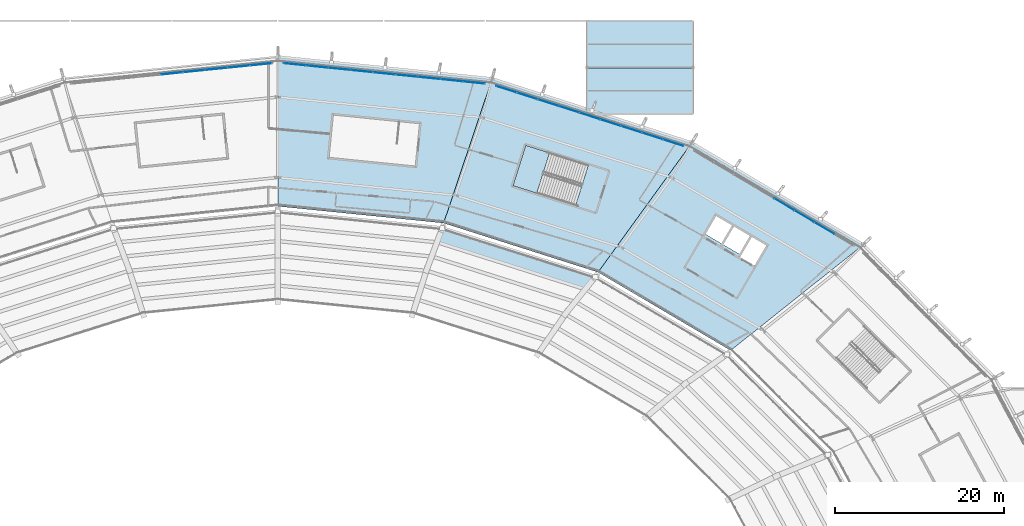
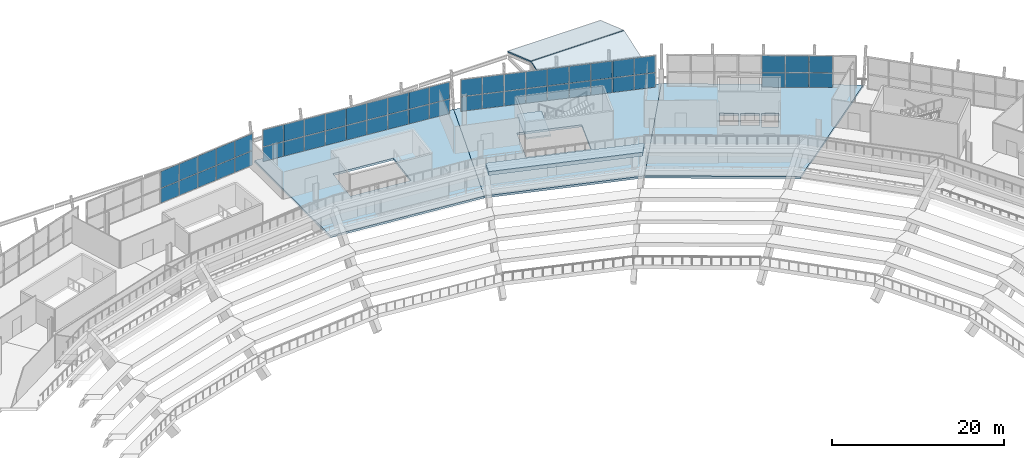
# One storey, part 71 of 126: 52 plates, 7 slabs, 6 elements without a shape of their own.
"""IFC4 building model written with IfcOpenShell, lengths in metres."""

from ifc_helpers import new_model, si_unit, direction, frame, origin, origin_2d, place, context, subcontext, project, spatial, polyline, rectangle, outline, extrude, material, layer, layer_set, type_object, element, aggregate, save


model = new_model("IFC4")

# Units and contexts
model_context = context("Model", 3, precision=1e-05, world=origin(), true_north=direction((0.0, 1.0)))
body_context = subcontext(model_context, "Body", "Model", "MODEL_VIEW")
ifc_project = project(units=[si_unit("LENGTHUNIT", "METRE"), si_unit("AREAUNIT", "SQUARE_METRE"), si_unit("VOLUMEUNIT", "CUBIC_METRE"), si_unit("PLANEANGLEUNIT", "RADIAN"), si_unit("MASSUNIT", "GRAM", prefix="KILO")], contexts=[model_context])

# Site, building, storey
site_placement = place(None, origin())
site = spatial("IfcSite", under=ifc_project, at=site_placement, CompositionType="ELEMENT")
building_placement = place(site_placement, origin())
building = spatial("IfcBuilding", under=site, at=building_placement, Name="Zlatoyarsky Gate Stadium", CompositionType="ELEMENT")
storey_placement = place(building_placement, frame((0.0, 0.0, 20.800048828125)))
storey = spatial("IfcBuildingStorey", under=building, at=storey_placement, Name="L04", CompositionType="ELEMENT", Elevation=20.800048828125)

# Curtain wall, plates
ifc_material_1 = material(Name="Thermally broken anodised aluminium curtain wall", Category="aluminium")
curtain_wall_type_1 = type_object("IfcCurtainWallType", Name="MONUMENTAL ARCHED GATE GLAZING LOWER", PredefinedType="USERDEFINED", material=ifc_material_1)
curtain_wall_1_placement = place(storey_placement, origin())
curtain_wall_1 = element("IfcCurtainWall", 1, at=curtain_wall_1_placement, inside=storey, type_object=curtain_wall_type_1, Name="Curtain wall CW-L04-06", ObjectType="ARCHED GATE GLAZING", PredefinedType="USERDEFINED")
ifc_material_2 = material(Name="Triple-glazed argon low-e architectural glass", Category="glass")
ifc_layer_1 = layer(ifc_material_2, 0.0458984375)
ifc_layer_set_1 = layer_set([ifc_layer_1], Name="Triple-glazed argon low-e architectural glass")
plate_type_1 = type_object("IfcPlateType", Name="ACOUSTIC LAMINATED GATE GLAZING PANEL 46", PredefinedType="CURTAIN_PANEL", material=ifc_layer_set_1)
plate_1_placement = place(storey_placement, frame((109.0107421875, 154.8671875, 0.074951171875), z_axis=(0.0, 0.0, 1.0), x_axis=(-0.994856644007, -0.10129293102, 0.0)))
plate_1 = element("IfcPlate", 2, at=plate_1_placement, type_object=plate_type_1, Name="CW-AG1 panel 1.1", PredefinedType="CURTAIN_PANEL", context=body_context, shape_type="SweptSolid", body=[
    extrude(rectangle(XDim=2.549072265625, YDim=0.0458984375, at=origin_2d()), origin(), (0.0, 0.0, 1.0), 2.03759765625),
])
plate_2_placement = place(storey_placement, frame((109.0107421875, 154.8671875, 2.1875), z_axis=(0.0, 0.0, 1.0), x_axis=(-0.994856644007, -0.10129293102, 0.0)))
plate_2 = element("IfcPlate", 3, at=plate_2_placement, type_object=plate_type_1, Name="CW-AG1 panel 1.2", PredefinedType="CURTAIN_PANEL", context=body_context, shape_type="SweptSolid", body=[
    extrude(rectangle(XDim=2.549072265625, YDim=0.0458984375, at=origin_2d()), origin(), (0.0, 0.0, 1.0), 2.357421875),
])
plate_3_placement = place(storey_placement, frame((106.381591796875, 154.599365234375, 0.074951171875), z_axis=(0.0, 0.0, 1.0), x_axis=(-0.994856644007, -0.10129293102, 0.0)))
plate_3 = element("IfcPlate", 4, at=plate_3_placement, type_object=plate_type_1, Name="CW-AG1 panel 2.1", PredefinedType="CURTAIN_PANEL", context=body_context, shape_type="SweptSolid", body=[
    extrude(rectangle(XDim=2.58642578125, YDim=0.0458984375, at=origin_2d()), origin(), (0.0, 0.0, 1.0), 2.03759765625),
])
plate_4_placement = place(storey_placement, frame((106.381591796875, 154.599365234375, 2.1875), z_axis=(0.0, 0.0, 1.0), x_axis=(-0.994856644007, -0.10129293102, 0.0)))
plate_4 = element("IfcPlate", 5, at=plate_4_placement, type_object=plate_type_1, Name="CW-AG1 panel 2.2", PredefinedType="CURTAIN_PANEL", context=body_context, shape_type="SweptSolid", body=[
    extrude(rectangle(XDim=2.58642578125, YDim=0.0458984375, at=origin_2d()), origin(), (0.0, 0.0, 1.0), 2.357421875),
])
plate_5_placement = place(storey_placement, frame((103.73388671875, 154.329833984375, 0.074951171875), z_axis=(0.0, 0.0, 1.0), x_axis=(-0.994856644007, -0.10129293102, 0.0)))
plate_5 = element("IfcPlate", 6, at=plate_5_placement, type_object=plate_type_1, Name="CW-AG1 panel 3.1", PredefinedType="CURTAIN_PANEL", context=body_context, shape_type="SweptSolid", body=[
    extrude(rectangle(XDim=2.58642578125, YDim=0.0458984375, at=origin_2d()), origin(), (0.0, 0.0, 1.0), 2.03759765625),
])
plate_6_placement = place(storey_placement, frame((103.73388671875, 154.329833984375, 2.1875), z_axis=(0.0, 0.0, 1.0), x_axis=(-0.994856644007, -0.10129293102, 0.0)))
plate_6 = element("IfcPlate", 7, at=plate_6_placement, type_object=plate_type_1, Name="CW-AG1 panel 3.2", PredefinedType="CURTAIN_PANEL", context=body_context, shape_type="SweptSolid", body=[
    extrude(rectangle(XDim=2.58642578125, YDim=0.0458984375, at=origin_2d()), origin(), (0.0, 0.0, 1.0), 2.357421875),
])
plate_7_placement = place(storey_placement, frame((101.0859375, 154.060302734375, 0.074951171875), z_axis=(0.0, 0.0, 1.0), x_axis=(-0.994856644007, -0.10129293102, 0.0)))
plate_7 = element("IfcPlate", 8, at=plate_7_placement, type_object=plate_type_1, Name="CW-AG1 panel 4.1", PredefinedType="CURTAIN_PANEL", context=body_context, shape_type="SweptSolid", body=[
    extrude(rectangle(XDim=2.58642578125, YDim=0.0458984375, at=origin_2d()), origin(), (0.0, 0.0, 1.0), 2.03759765625),
])
plate_8_placement = place(storey_placement, frame((101.0859375, 154.060302734375, 2.1875), z_axis=(0.0, 0.0, 1.0), x_axis=(-0.994856644007, -0.10129293102, 0.0)))
plate_8 = element("IfcPlate", 9, at=plate_8_placement, type_object=plate_type_1, Name="CW-AG1 panel 4.2", PredefinedType="CURTAIN_PANEL", context=body_context, shape_type="SweptSolid", body=[
    extrude(rectangle(XDim=2.58642578125, YDim=0.0458984375, at=origin_2d()), origin(), (0.0, 0.0, 1.0), 2.357421875),
])
plate_9_placement = place(storey_placement, frame((98.438232421875, 153.790771484375, 0.074951171875), z_axis=(0.0, 0.0, 1.0), x_axis=(-0.994856644007, -0.10129293102, 0.0)))
plate_9 = element("IfcPlate", 10, at=plate_9_placement, type_object=plate_type_1, Name="CW-AG1 panel 5.1", PredefinedType="CURTAIN_PANEL", context=body_context, shape_type="SweptSolid", body=[
    extrude(rectangle(XDim=2.58642578125, YDim=0.0458984375, at=origin_2d()), origin(), (0.0, 0.0, 1.0), 2.03759765625),
])
plate_10_placement = place(storey_placement, frame((98.438232421875, 153.790771484375, 2.1875), z_axis=(0.0, 0.0, 1.0), x_axis=(-0.994856644007, -0.10129293102, 0.0)))
plate_10 = element("IfcPlate", 11, at=plate_10_placement, type_object=plate_type_1, Name="CW-AG1 panel 5.2", PredefinedType="CURTAIN_PANEL", context=body_context, shape_type="SweptSolid", body=[
    extrude(rectangle(XDim=2.58642578125, YDim=0.0458984375, at=origin_2d()), origin(), (0.0, 0.0, 1.0), 2.357421875),
])
aggregate(curtain_wall_1, [plate_1, plate_2, plate_3, plate_4, plate_5, plate_6, plate_7, plate_8, plate_9, plate_10])

# Roof, slabs
ifc_material_3 = material(Name="Standing-seam aluminium-zinc roofing with mineral wool insulation", Category="aluminium")
ifc_layer_2 = layer(ifc_material_3, 0.080078125)
ifc_layer_set_2 = layer_set([ifc_layer_2], Name="Standing-seam aluminium-zinc roofing with mineral wool insulation")
roof_type = type_object("IfcRoofType", Name="STADIUM BARREL VAULT ROOF ASSEMBLY", PredefinedType="BARREL_ROOF", material=ifc_layer_set_2)
roof_placement = place(storey_placement, origin())
roof = element("IfcRoof", 12, at=roof_placement, inside=storey, type_object=roof_type, Name="V2_NORTH_E barrel roof", PredefinedType="BARREL_ROOF")
ifc_material_4 = material(Name="Concrete C40/50", Category="concrete")
ifc_layer_3 = layer(ifc_material_4, 0.179931640625)
ifc_layer_set_3 = layer_set([ifc_layer_3], Name="Concrete C40/50")
slab_type_1 = type_object("IfcSlabType", Name="COMPOSITE PAVILION ROOF SLAB 180", PredefinedType="ROOF", material=ifc_layer_set_3)
slab_1_placement = place(storey_placement, frame((147.5, 149.0, 0.199951171875), z_axis=(0.0, -0.329578946053, 0.94412802009), x_axis=(1.0, 0.0, 0.0)))
slab_1 = element("IfcSlab", 13, at=slab_1_placement, type_object=slab_type_1, Name="V2_NORTH_E sloped roof slab 1", PredefinedType="ROOF", context=body_context, shape_type="SweptSolid", body=[
    extrude(outline(polyline([(0.0, 0.0), (12.5, 0.0), (12.5, 5.7520420397895435), (0.0, 5.7520420397895435), (0.0, 0.0)])), origin(), (0.0, 0.0, -1.0), 0.179931640625),
])
slab_2_placement = place(storey_placement, frame((160.0, 160.0, 0.199951171875), z_axis=(0.0, 0.329578946053, 0.94412802009), x_axis=(-1.0, 0.0, 0.0)))
slab_2 = element("IfcSlab", 14, at=slab_2_placement, type_object=slab_type_1, Name="V2_NORTH_E sloped roof slab 2", PredefinedType="ROOF", context=body_context, shape_type="SweptSolid", body=[
    extrude(outline(polyline([(0.0, 0.0), (12.5, 0.0), (12.5, 5.7520420397895435), (0.0, 5.7520420397895435), (0.0, 0.0)])), origin(), (0.0, 0.0, -1.0), 0.179931640625),
])
aggregate(roof, [slab_1, slab_2])

# Slabs
ifc_layer_4 = layer(ifc_material_4, 0.300048828125)
ifc_layer_set_4 = layer_set([ifc_layer_4], Name="Concrete C40/50")
slab_type_2 = type_object("IfcSlabType", Name="CONCRETE CONCOURSE SLAB 300", PredefinedType="FLOOR", material=ifc_layer_set_4)
slab_3_placement = place(storey_placement, frame((0.0, 0.0, -0.300048828125)))
element("IfcSlab", 15, at=slab_3_placement, inside=storey, type_object=slab_type_2, Name="L04 bowl sector 03 slab", PredefinedType="FLOOR", context=body_context, shape_type="SweptSolid", body=[
    extrude(outline(polyline([(148.800048828125, 130.316162109375), (159.884765625, 145.618408203125), (180.133544921875, 133.5771484375), (164.457275390625, 121.0830078125), (148.800048828125, 130.316162109375)]), holes=[polyline([(168.688720703125, 133.486083984375), (166.962890625, 134.4970703125), (165.547607421875, 132.0810546875), (167.2734375, 131.070068359375), (168.688720703125, 133.486083984375)]), polyline([(166.747314453125, 134.623291015625), (164.84912109375, 135.7353515625), (163.58544921875, 133.578125), (165.483642578125, 132.46630859375), (166.747314453125, 134.623291015625)]), polyline([(164.63330078125, 135.86181640625), (162.735107421875, 136.9736328125), (161.471435546875, 134.816650390625), (163.36962890625, 133.70458984375), (164.63330078125, 135.86181640625)])]), origin(), (0.0, 0.0, 1.0), 0.300048828125),
])
slab_4_placement = place(storey_placement, frame((0.0, 0.0, -0.300048828125)))
element("IfcSlab", 16, at=slab_4_placement, inside=storey, type_object=slab_type_2, Name="L04 bowl sector 04 slab", PredefinedType="FLOOR", context=body_context, shape_type="SweptSolid", body=[
    extrude(outline(polyline([(130.566650390625, 136.120361328125), (136.3046875, 153.187744140625), (159.884765625, 145.618408203125), (148.800048828125, 130.316162109375), (130.566650390625, 136.120361328125)]), holes=[polyline([(147.6533203125, 142.964111328125), (140.263916015625, 145.30078125), (138.75634765625, 140.53369140625), (146.145751953125, 138.197021484375), (147.6533203125, 142.964111328125)])]), origin(), (0.0, 0.0, 1.0), 0.300048828125),
])
slab_5_placement = place(storey_placement, frame((0.0, 0.0, -0.300048828125)))
element("IfcSlab", 17, at=slab_5_placement, inside=storey, type_object=slab_type_2, Name="L04 bowl sector 05 slab", PredefinedType="FLOOR", context=body_context, shape_type="SweptSolid", body=[
    extrude(outline(polyline([(111.0, 138.10009765625), (111.0, 155.76953125), (136.3046875, 153.187744140625), (130.566650390625, 136.120361328125), (111.0, 138.10009765625)]), holes=[polyline([(125.26953125, 148.0908203125), (117.558349609375, 148.865966796875), (117.058349609375, 143.890869140625), (124.76953125, 143.115966796875), (125.26953125, 148.0908203125)])]), origin(), (0.0, 0.0, 1.0), 0.300048828125),
])

# Stair, slab
stair_type = type_object("IfcStairType", Name="CONCRETE DOGLEG EXIT STAIR H5400", PredefinedType="TWO_STRAIGHT_RUN_STAIR", material=ifc_material_4)
stair_placement = place(storey_placement, origin())
stair = element("IfcStair", 18, at=stair_placement, inside=storey, type_object=stair_type, Name="L04 Exit Stair ST-03", PredefinedType="TWO_STRAIGHT_RUN_STAIR")
ifc_layer_5 = layer(ifc_material_4, 0.199951171875)
ifc_layer_set_5 = layer_set([ifc_layer_5], Name="Concrete C40/50")
slab_type_3 = type_object("IfcSlabType", Name="CONCRETE STAIR LANDING SLAB 200", PredefinedType="LANDING", material=ifc_layer_set_5)
slab_6_placement = place(storey_placement, frame((0.0, 0.0, 2.5)))
slab_6 = element("IfcSlab", 19, at=slab_6_placement, type_object=slab_type_3, Name="ST-DG54 landing 1", PredefinedType="LANDING", context=body_context, shape_type="SweptSolid", body=[
    extrude(outline(polyline([(143.07666015625, 144.411376953125), (140.263916015625, 145.30078125), (138.75634765625, 140.53369140625), (141.569091796875, 139.64404296875), (143.07666015625, 144.411376953125)])), origin(), (0.0, 0.0, 1.0), 0.199951171875),
])
aggregate(stair, [slab_6])

# Slab
ifc_material_5 = material(Name="Precast concrete C40/50", Category="concrete")
ifc_layer_6 = layer(ifc_material_5, 0.56005859375)
ifc_layer_set_6 = layer_set([ifc_layer_6], Name="Precast concrete C40/50")
slab_type_4 = type_object("IfcSlabType", Name="PRECAST UPPER SEATING TIER UNIT 560", PredefinedType="USERDEFINED", material=ifc_layer_set_6)
slab_7_placement = place(storey_placement, frame((0.0, 0.0, 4.5400390625)))
element("IfcSlab", 20, at=slab_7_placement, inside=storey, type_object=slab_type_4, Name="Upper seating tier sector 04 row 6", ObjectType="SEATING TIER", PredefinedType="USERDEFINED", context=body_context, shape_type="SweptSolid", body=[
    extrude(outline(polyline([(147.375, 128.281005859375), (148.5, 129.79638671875), (130.411376953125, 135.540771484375), (129.8291015625, 133.850341796875), (147.375, 128.281005859375)])), origin(), (0.0, 0.0, 1.0), 0.559814453125),
])

# Curtain wall, plates
curtain_wall_type_2 = type_object("IfcCurtainWallType", Name="UNITISED MEDIA RING GLAZING L04", PredefinedType="USERDEFINED", material=ifc_material_1)
curtain_wall_2_placement = place(storey_placement, origin())
curtain_wall_2 = element("IfcCurtainWall", 21, at=curtain_wall_2_placement, inside=storey, type_object=curtain_wall_type_2, Name="Curtain wall CW-L04-03", ObjectType="UNITISED GLAZING", PredefinedType="USERDEFINED")
ifc_layer_7 = layer(ifc_material_2, 0.0380859375)
ifc_layer_set_7 = layer_set([ifc_layer_7], Name="Triple-glazed argon low-e architectural glass")
plate_type_2 = type_object("IfcPlateType", Name="TRIPLE GLAZED LOW E CURTAIN PANEL 38", PredefinedType="CURTAIN_PANEL", material=ifc_layer_set_7)
plate_11_placement = place(storey_placement, frame((175.519775390625, 135.5263671875, 0.06494140625), z_axis=(0.0, 0.0, 1.0), x_axis=(-0.859978374713, 0.510330476285, 0.0)))
plate_11 = element("IfcPlate", 22, at=plate_11_placement, type_object=plate_type_2, Name="CW-UG4 panel 2.1", PredefinedType="CURTAIN_PANEL", context=body_context, shape_type="SweptSolid", body=[
    extrude(rectangle(XDim=2.694580078125, YDim=0.0380859375, at=origin_2d()), origin(), (0.0, 0.0, 1.0), 2.052490234375),
])
plate_12_placement = place(storey_placement, frame((175.519775390625, 135.5263671875, 2.182373046875), z_axis=(0.0, 0.0, 1.0), x_axis=(-0.859978374713, 0.510330476285, 0.0)))
plate_12 = element("IfcPlate", 23, at=plate_12_placement, type_object=plate_type_2, Name="CW-UG4 panel 2.2", PredefinedType="CURTAIN_PANEL", context=body_context, shape_type="SweptSolid", body=[
    extrude(rectangle(XDim=2.694580078125, YDim=0.0380859375, at=origin_2d()), origin(), (0.0, 0.0, 1.0), 2.37255859375),
])
plate_13_placement = place(storey_placement, frame((173.146484375, 136.934814453125, 0.06494140625), z_axis=(0.0, 0.0, 1.0), x_axis=(-0.859978374713, 0.510330476285, 0.0)))
plate_13 = element("IfcPlate", 24, at=plate_13_placement, type_object=plate_type_2, Name="CW-UG4 panel 3.1", PredefinedType="CURTAIN_PANEL", context=body_context, shape_type="SweptSolid", body=[
    extrude(rectangle(XDim=2.694580078125, YDim=0.0380859375, at=origin_2d()), origin(), (0.0, 0.0, 1.0), 2.052490234375),
])
plate_14_placement = place(storey_placement, frame((173.146484375, 136.934814453125, 2.182373046875), z_axis=(0.0, 0.0, 1.0), x_axis=(-0.859978374713, 0.510330476285, 0.0)))
plate_14 = element("IfcPlate", 25, at=plate_14_placement, type_object=plate_type_2, Name="CW-UG4 panel 3.2", PredefinedType="CURTAIN_PANEL", context=body_context, shape_type="SweptSolid", body=[
    extrude(rectangle(XDim=2.694580078125, YDim=0.0380859375, at=origin_2d()), origin(), (0.0, 0.0, 1.0), 2.37255859375),
])
plate_15_placement = place(storey_placement, frame((170.773193359375, 138.343017578125, 0.06494140625), z_axis=(0.0, 0.0, 1.0), x_axis=(-0.859978374713, 0.510330476285, 0.0)))
plate_15 = element("IfcPlate", 26, at=plate_15_placement, type_object=plate_type_2, Name="CW-UG4 panel 4.1", PredefinedType="CURTAIN_PANEL", context=body_context, shape_type="SweptSolid", body=[
    extrude(rectangle(XDim=2.694580078125, YDim=0.0380859375, at=origin_2d()), origin(), (0.0, 0.0, 1.0), 2.052490234375),
])
plate_16_placement = place(storey_placement, frame((170.773193359375, 138.343017578125, 2.182373046875), z_axis=(0.0, 0.0, 1.0), x_axis=(-0.859978374713, 0.510330476285, 0.0)))
plate_16 = element("IfcPlate", 27, at=plate_16_placement, type_object=plate_type_2, Name="CW-UG4 panel 4.2", PredefinedType="CURTAIN_PANEL", context=body_context, shape_type="SweptSolid", body=[
    extrude(rectangle(XDim=2.694580078125, YDim=0.0380859375, at=origin_2d()), origin(), (0.0, 0.0, 1.0), 2.37255859375),
])
aggregate(curtain_wall_2, [plate_11, plate_12, plate_13, plate_14, plate_15, plate_16])

curtain_wall_3_placement = place(storey_placement, origin())
curtain_wall_3 = element("IfcCurtainWall", 28, at=curtain_wall_3_placement, inside=storey, type_object=curtain_wall_type_2, Name="Curtain wall CW-L04-04", ObjectType="UNITISED GLAZING", PredefinedType="USERDEFINED")
plate_17_placement = place(storey_placement, frame((157.66845703125, 145.610107421875, 0.06494140625), z_axis=(0.0, 0.0, 1.0), x_axis=(-0.952331297298, 0.305065730928, 0.0)))
plate_17 = element("IfcPlate", 29, at=plate_17_placement, type_object=plate_type_2, Name="CW-UG4 panel 1.1", PredefinedType="CURTAIN_PANEL", context=body_context, shape_type="SweptSolid", body=[
    extrude(rectangle(XDim=2.489501953125, YDim=0.0380859375, at=origin_2d()), origin(), (0.0, 0.0, 1.0), 2.052490234375),
])
plate_18_placement = place(storey_placement, frame((157.66845703125, 145.610107421875, 2.182373046875), z_axis=(0.0, 0.0, 1.0), x_axis=(-0.952331297298, 0.305065730928, 0.0)))
plate_18 = element("IfcPlate", 30, at=plate_18_placement, type_object=plate_type_2, Name="CW-UG4 panel 1.2", PredefinedType="CURTAIN_PANEL", context=body_context, shape_type="SweptSolid", body=[
    extrude(rectangle(XDim=2.489501953125, YDim=0.0380859375, at=origin_2d()), origin(), (0.0, 0.0, 1.0), 2.37255859375),
])
plate_19_placement = place(storey_placement, frame((155.22021484375, 146.394287109375, 0.06494140625), z_axis=(0.0, 0.0, 1.0), x_axis=(-0.952331297298, 0.305065730928, 0.0)))
plate_19 = element("IfcPlate", 31, at=plate_19_placement, type_object=plate_type_2, Name="CW-UG4 panel 2.1", PredefinedType="CURTAIN_PANEL", context=body_context, shape_type="SweptSolid", body=[
    extrude(rectangle(XDim=2.52197265625, YDim=0.0380859375, at=origin_2d()), origin(), (0.0, 0.0, 1.0), 2.052490234375),
])
plate_20_placement = place(storey_placement, frame((155.22021484375, 146.394287109375, 2.182373046875), z_axis=(0.0, 0.0, 1.0), x_axis=(-0.952331297298, 0.305065730928, 0.0)))
plate_20 = element("IfcPlate", 32, at=plate_20_placement, type_object=plate_type_2, Name="CW-UG4 panel 2.2", PredefinedType="CURTAIN_PANEL", context=body_context, shape_type="SweptSolid", body=[
    extrude(rectangle(XDim=2.52197265625, YDim=0.0380859375, at=origin_2d()), origin(), (0.0, 0.0, 1.0), 2.37255859375),
])
plate_21_placement = place(storey_placement, frame((152.756591796875, 147.18359375, 0.06494140625), z_axis=(0.0, 0.0, 1.0), x_axis=(-0.952331297298, 0.305065730928, 0.0)))
plate_21 = element("IfcPlate", 33, at=plate_21_placement, type_object=plate_type_2, Name="CW-UG4 panel 3.1", PredefinedType="CURTAIN_PANEL", context=body_context, shape_type="SweptSolid", body=[
    extrude(rectangle(XDim=2.52197265625, YDim=0.0380859375, at=origin_2d()), origin(), (0.0, 0.0, 1.0), 2.052490234375),
])
plate_22_placement = place(storey_placement, frame((152.756591796875, 147.18359375, 2.182373046875), z_axis=(0.0, 0.0, 1.0), x_axis=(-0.952331297298, 0.305065730928, 0.0)))
plate_22 = element("IfcPlate", 34, at=plate_22_placement, type_object=plate_type_2, Name="CW-UG4 panel 3.2", PredefinedType="CURTAIN_PANEL", context=body_context, shape_type="SweptSolid", body=[
    extrude(rectangle(XDim=2.52197265625, YDim=0.0380859375, at=origin_2d()), origin(), (0.0, 0.0, 1.0), 2.37255859375),
])
plate_23_placement = place(storey_placement, frame((150.29296875, 147.97265625, 0.06494140625), z_axis=(0.0, 0.0, 1.0), x_axis=(-0.952331297298, 0.305065730928, 0.0)))
plate_23 = element("IfcPlate", 35, at=plate_23_placement, type_object=plate_type_2, Name="CW-UG4 panel 4.1", PredefinedType="CURTAIN_PANEL", context=body_context, shape_type="SweptSolid", body=[
    extrude(rectangle(XDim=2.52197265625, YDim=0.0380859375, at=origin_2d()), origin(), (0.0, 0.0, 1.0), 2.052490234375),
])
plate_24_placement = place(storey_placement, frame((150.29296875, 147.97265625, 2.182373046875), z_axis=(0.0, 0.0, 1.0), x_axis=(-0.952331297298, 0.305065730928, 0.0)))
plate_24 = element("IfcPlate", 36, at=plate_24_placement, type_object=plate_type_2, Name="CW-UG4 panel 4.2", PredefinedType="CURTAIN_PANEL", context=body_context, shape_type="SweptSolid", body=[
    extrude(rectangle(XDim=2.52197265625, YDim=0.0380859375, at=origin_2d()), origin(), (0.0, 0.0, 1.0), 2.37255859375),
])
plate_25_placement = place(storey_placement, frame((147.8291015625, 148.761962890625, 0.06494140625), z_axis=(0.0, 0.0, 1.0), x_axis=(-0.952331297298, 0.305065730928, 0.0)))
plate_25 = element("IfcPlate", 37, at=plate_25_placement, type_object=plate_type_2, Name="CW-UG4 panel 5.1", PredefinedType="CURTAIN_PANEL", context=body_context, shape_type="SweptSolid", body=[
    extrude(rectangle(XDim=2.52197265625, YDim=0.0380859375, at=origin_2d()), origin(), (0.0, 0.0, 1.0), 2.052490234375),
])
plate_26_placement = place(storey_placement, frame((147.8291015625, 148.761962890625, 2.182373046875), z_axis=(0.0, 0.0, 1.0), x_axis=(-0.952331297298, 0.305065730928, 0.0)))
plate_26 = element("IfcPlate", 38, at=plate_26_placement, type_object=plate_type_2, Name="CW-UG4 panel 5.2", PredefinedType="CURTAIN_PANEL", context=body_context, shape_type="SweptSolid", body=[
    extrude(rectangle(XDim=2.52197265625, YDim=0.0380859375, at=origin_2d()), origin(), (0.0, 0.0, 1.0), 2.37255859375),
])
plate_27_placement = place(storey_placement, frame((145.365478515625, 149.55126953125, 0.06494140625), z_axis=(0.0, 0.0, 1.0), x_axis=(-0.952331297298, 0.305065730928, 0.0)))
plate_27 = element("IfcPlate", 39, at=plate_27_placement, type_object=plate_type_2, Name="CW-UG4 panel 6.1", PredefinedType="CURTAIN_PANEL", context=body_context, shape_type="SweptSolid", body=[
    extrude(rectangle(XDim=2.52197265625, YDim=0.0380859375, at=origin_2d()), origin(), (0.0, 0.0, 1.0), 2.052490234375),
])
plate_28_placement = place(storey_placement, frame((145.365478515625, 149.55126953125, 2.182373046875), z_axis=(0.0, 0.0, 1.0), x_axis=(-0.952331297298, 0.305065730928, 0.0)))
plate_28 = element("IfcPlate", 40, at=plate_28_placement, type_object=plate_type_2, Name="CW-UG4 panel 6.2", PredefinedType="CURTAIN_PANEL", context=body_context, shape_type="SweptSolid", body=[
    extrude(rectangle(XDim=2.52197265625, YDim=0.0380859375, at=origin_2d()), origin(), (0.0, 0.0, 1.0), 2.37255859375),
])
plate_29_placement = place(storey_placement, frame((142.90185546875, 150.34033203125, 0.06494140625), z_axis=(0.0, 0.0, 1.0), x_axis=(-0.952331297298, 0.305065730928, 0.0)))
plate_29 = element("IfcPlate", 41, at=plate_29_placement, type_object=plate_type_2, Name="CW-UG4 panel 7.1", PredefinedType="CURTAIN_PANEL", context=body_context, shape_type="SweptSolid", body=[
    extrude(rectangle(XDim=2.52197265625, YDim=0.0380859375, at=origin_2d()), origin(), (0.0, 0.0, 1.0), 2.052490234375),
])
plate_30_placement = place(storey_placement, frame((142.90185546875, 150.34033203125, 2.182373046875), z_axis=(0.0, 0.0, 1.0), x_axis=(-0.952331297298, 0.305065730928, 0.0)))
plate_30 = element("IfcPlate", 42, at=plate_30_placement, type_object=plate_type_2, Name="CW-UG4 panel 7.2", PredefinedType="CURTAIN_PANEL", context=body_context, shape_type="SweptSolid", body=[
    extrude(rectangle(XDim=2.52197265625, YDim=0.0380859375, at=origin_2d()), origin(), (0.0, 0.0, 1.0), 2.37255859375),
])
plate_31_placement = place(storey_placement, frame((140.43798828125, 151.129638671875, 0.06494140625), z_axis=(0.0, 0.0, 1.0), x_axis=(-0.952331297298, 0.305065730928, 0.0)))
plate_31 = element("IfcPlate", 43, at=plate_31_placement, type_object=plate_type_2, Name="CW-UG4 panel 8.1", PredefinedType="CURTAIN_PANEL", context=body_context, shape_type="SweptSolid", body=[
    extrude(rectangle(XDim=2.52197265625, YDim=0.0380859375, at=origin_2d()), origin(), (0.0, 0.0, 1.0), 2.052490234375),
])
plate_32_placement = place(storey_placement, frame((140.43798828125, 151.129638671875, 2.182373046875), z_axis=(0.0, 0.0, 1.0), x_axis=(-0.952331297298, 0.305065730928, 0.0)))
plate_32 = element("IfcPlate", 44, at=plate_32_placement, type_object=plate_type_2, Name="CW-UG4 panel 8.2", PredefinedType="CURTAIN_PANEL", context=body_context, shape_type="SweptSolid", body=[
    extrude(rectangle(XDim=2.52197265625, YDim=0.0380859375, at=origin_2d()), origin(), (0.0, 0.0, 1.0), 2.37255859375),
])
plate_33_placement = place(storey_placement, frame((137.98974609375, 151.913818359375, 0.06494140625), z_axis=(0.0, 0.0, 1.0), x_axis=(-0.952331297298, 0.305065730928, 0.0)))
plate_33 = element("IfcPlate", 45, at=plate_33_placement, type_object=plate_type_2, Name="CW-UG4 panel 9.1", PredefinedType="CURTAIN_PANEL", context=body_context, shape_type="SweptSolid", body=[
    extrude(rectangle(XDim=2.489501953125, YDim=0.0380859375, at=origin_2d()), origin(), (0.0, 0.0, 1.0), 2.052490234375),
])
plate_34_placement = place(storey_placement, frame((137.98974609375, 151.913818359375, 2.182373046875), z_axis=(0.0, 0.0, 1.0), x_axis=(-0.952331297298, 0.305065730928, 0.0)))
plate_34 = element("IfcPlate", 46, at=plate_34_placement, type_object=plate_type_2, Name="CW-UG4 panel 9.2", PredefinedType="CURTAIN_PANEL", context=body_context, shape_type="SweptSolid", body=[
    extrude(rectangle(XDim=2.489501953125, YDim=0.0380859375, at=origin_2d()), origin(), (0.0, 0.0, 1.0), 2.37255859375),
])
aggregate(curtain_wall_3, [plate_17, plate_18, plate_19, plate_20, plate_21, plate_22, plate_23, plate_24, plate_25, plate_26, plate_27, plate_28, plate_29, plate_30, plate_31, plate_32, plate_33, plate_34])

curtain_wall_4_placement = place(storey_placement, origin())
curtain_wall_4 = element("IfcCurtainWall", 47, at=curtain_wall_4_placement, inside=storey, type_object=curtain_wall_type_2, Name="Curtain wall CW-L04-05", ObjectType="UNITISED GLAZING", PredefinedType="USERDEFINED")
plate_35_placement = place(storey_placement, frame((134.13671875, 152.7138671875, 0.06494140625), z_axis=(0.0, 0.0, 1.0), x_axis=(-0.994856644007, 0.10129293102, 0.0)))
plate_35 = element("IfcPlate", 48, at=plate_35_placement, type_object=plate_type_2, Name="CW-UG4 panel 1.1", PredefinedType="CURTAIN_PANEL", context=body_context, shape_type="SweptSolid", body=[
    extrude(rectangle(XDim=2.56396484375, YDim=0.0380859375, at=origin_2d()), origin(), (0.0, 0.0, 1.0), 2.052490234375),
])
plate_36_placement = place(storey_placement, frame((134.13671875, 152.7138671875, 2.182373046875), z_axis=(0.0, 0.0, 1.0), x_axis=(-0.994856644007, 0.10129293102, 0.0)))
plate_36 = element("IfcPlate", 49, at=plate_36_placement, type_object=plate_type_2, Name="CW-UG4 panel 1.2", PredefinedType="CURTAIN_PANEL", context=body_context, shape_type="SweptSolid", body=[
    extrude(rectangle(XDim=2.56396484375, YDim=0.0380859375, at=origin_2d()), origin(), (0.0, 0.0, 1.0), 2.37255859375),
])
plate_37_placement = place(storey_placement, frame((131.505126953125, 152.98193359375, 0.06494140625), z_axis=(0.0, 0.0, 1.0), x_axis=(-0.994856644007, 0.10129293102, 0.0)))
plate_37 = element("IfcPlate", 50, at=plate_37_placement, type_object=plate_type_2, Name="CW-UG4 panel 2.1", PredefinedType="CURTAIN_PANEL", context=body_context, shape_type="SweptSolid", body=[
    extrude(rectangle(XDim=2.596435546875, YDim=0.0380859375, at=origin_2d()), origin(), (0.0, 0.0, 1.0), 2.052490234375),
])
plate_38_placement = place(storey_placement, frame((131.505126953125, 152.98193359375, 2.182373046875), z_axis=(0.0, 0.0, 1.0), x_axis=(-0.994856644007, 0.10129293102, 0.0)))
plate_38 = element("IfcPlate", 51, at=plate_38_placement, type_object=plate_type_2, Name="CW-UG4 panel 2.2", PredefinedType="CURTAIN_PANEL", context=body_context, shape_type="SweptSolid", body=[
    extrude(rectangle(XDim=2.596435546875, YDim=0.0380859375, at=origin_2d()), origin(), (0.0, 0.0, 1.0), 2.37255859375),
])
plate_39_placement = place(storey_placement, frame((128.857421875, 153.25146484375, 0.06494140625), z_axis=(0.0, 0.0, 1.0), x_axis=(-0.994856644007, 0.10129293102, 0.0)))
plate_39 = element("IfcPlate", 52, at=plate_39_placement, type_object=plate_type_2, Name="CW-UG4 panel 3.1", PredefinedType="CURTAIN_PANEL", context=body_context, shape_type="SweptSolid", body=[
    extrude(rectangle(XDim=2.596435546875, YDim=0.0380859375, at=origin_2d()), origin(), (0.0, 0.0, 1.0), 2.052490234375),
])
plate_40_placement = place(storey_placement, frame((128.857421875, 153.25146484375, 2.182373046875), z_axis=(0.0, 0.0, 1.0), x_axis=(-0.994856644007, 0.10129293102, 0.0)))
plate_40 = element("IfcPlate", 53, at=plate_40_placement, type_object=plate_type_2, Name="CW-UG4 panel 3.2", PredefinedType="CURTAIN_PANEL", context=body_context, shape_type="SweptSolid", body=[
    extrude(rectangle(XDim=2.596435546875, YDim=0.0380859375, at=origin_2d()), origin(), (0.0, 0.0, 1.0), 2.37255859375),
])
plate_41_placement = place(storey_placement, frame((126.20947265625, 153.52099609375, 0.06494140625), z_axis=(0.0, 0.0, 1.0), x_axis=(-0.994856644007, 0.10129293102, 0.0)))
plate_41 = element("IfcPlate", 54, at=plate_41_placement, type_object=plate_type_2, Name="CW-UG4 panel 4.1", PredefinedType="CURTAIN_PANEL", context=body_context, shape_type="SweptSolid", body=[
    extrude(rectangle(XDim=2.596435546875, YDim=0.0380859375, at=origin_2d()), origin(), (0.0, 0.0, 1.0), 2.052490234375),
])
plate_42_placement = place(storey_placement, frame((126.20947265625, 153.52099609375, 2.182373046875), z_axis=(0.0, 0.0, 1.0), x_axis=(-0.994856644007, 0.10129293102, 0.0)))
plate_42 = element("IfcPlate", 55, at=plate_42_placement, type_object=plate_type_2, Name="CW-UG4 panel 4.2", PredefinedType="CURTAIN_PANEL", context=body_context, shape_type="SweptSolid", body=[
    extrude(rectangle(XDim=2.596435546875, YDim=0.0380859375, at=origin_2d()), origin(), (0.0, 0.0, 1.0), 2.37255859375),
])
plate_43_placement = place(storey_placement, frame((123.561767578125, 153.790771484375, 0.06494140625), z_axis=(0.0, 0.0, 1.0), x_axis=(-0.994856644007, 0.10129293102, 0.0)))
plate_43 = element("IfcPlate", 56, at=plate_43_placement, type_object=plate_type_2, Name="CW-UG4 panel 5.1", PredefinedType="CURTAIN_PANEL", context=body_context, shape_type="SweptSolid", body=[
    extrude(rectangle(XDim=2.596435546875, YDim=0.0380859375, at=origin_2d()), origin(), (0.0, 0.0, 1.0), 2.052490234375),
])
plate_44_placement = place(storey_placement, frame((123.561767578125, 153.790771484375, 2.182373046875), z_axis=(0.0, 0.0, 1.0), x_axis=(-0.994856644007, 0.10129293102, 0.0)))
plate_44 = element("IfcPlate", 57, at=plate_44_placement, type_object=plate_type_2, Name="CW-UG4 panel 5.2", PredefinedType="CURTAIN_PANEL", context=body_context, shape_type="SweptSolid", body=[
    extrude(rectangle(XDim=2.596435546875, YDim=0.0380859375, at=origin_2d()), origin(), (0.0, 0.0, 1.0), 2.37255859375),
])
plate_45_placement = place(storey_placement, frame((120.9140625, 154.060302734375, 0.06494140625), z_axis=(0.0, 0.0, 1.0), x_axis=(-0.994856644007, 0.10129293102, 0.0)))
plate_45 = element("IfcPlate", 58, at=plate_45_placement, type_object=plate_type_2, Name="CW-UG4 panel 6.1", PredefinedType="CURTAIN_PANEL", context=body_context, shape_type="SweptSolid", body=[
    extrude(rectangle(XDim=2.596435546875, YDim=0.0380859375, at=origin_2d()), origin(), (0.0, 0.0, 1.0), 2.052490234375),
])
plate_46_placement = place(storey_placement, frame((120.9140625, 154.060302734375, 2.182373046875), z_axis=(0.0, 0.0, 1.0), x_axis=(-0.994856644007, 0.10129293102, 0.0)))
plate_46 = element("IfcPlate", 59, at=plate_46_placement, type_object=plate_type_2, Name="CW-UG4 panel 6.2", PredefinedType="CURTAIN_PANEL", context=body_context, shape_type="SweptSolid", body=[
    extrude(rectangle(XDim=2.596435546875, YDim=0.0380859375, at=origin_2d()), origin(), (0.0, 0.0, 1.0), 2.37255859375),
])
plate_47_placement = place(storey_placement, frame((118.26611328125, 154.329833984375, 0.06494140625), z_axis=(0.0, 0.0, 1.0), x_axis=(-0.994856644007, 0.10129293102, 0.0)))
plate_47 = element("IfcPlate", 60, at=plate_47_placement, type_object=plate_type_2, Name="CW-UG4 panel 7.1", PredefinedType="CURTAIN_PANEL", context=body_context, shape_type="SweptSolid", body=[
    extrude(rectangle(XDim=2.596435546875, YDim=0.0380859375, at=origin_2d()), origin(), (0.0, 0.0, 1.0), 2.052490234375),
])
plate_48_placement = place(storey_placement, frame((118.26611328125, 154.329833984375, 2.182373046875), z_axis=(0.0, 0.0, 1.0), x_axis=(-0.994856644007, 0.10129293102, 0.0)))
plate_48 = element("IfcPlate", 61, at=plate_48_placement, type_object=plate_type_2, Name="CW-UG4 panel 7.2", PredefinedType="CURTAIN_PANEL", context=body_context, shape_type="SweptSolid", body=[
    extrude(rectangle(XDim=2.596435546875, YDim=0.0380859375, at=origin_2d()), origin(), (0.0, 0.0, 1.0), 2.37255859375),
])
plate_49_placement = place(storey_placement, frame((115.618408203125, 154.599365234375, 0.06494140625), z_axis=(0.0, 0.0, 1.0), x_axis=(-0.994856644007, 0.10129293102, 0.0)))
plate_49 = element("IfcPlate", 62, at=plate_49_placement, type_object=plate_type_2, Name="CW-UG4 panel 8.1", PredefinedType="CURTAIN_PANEL", context=body_context, shape_type="SweptSolid", body=[
    extrude(rectangle(XDim=2.596435546875, YDim=0.0380859375, at=origin_2d()), origin(), (0.0, 0.0, 1.0), 2.052490234375),
])
plate_50_placement = place(storey_placement, frame((115.618408203125, 154.599365234375, 2.182373046875), z_axis=(0.0, 0.0, 1.0), x_axis=(-0.994856644007, 0.10129293102, 0.0)))
plate_50 = element("IfcPlate", 63, at=plate_50_placement, type_object=plate_type_2, Name="CW-UG4 panel 8.2", PredefinedType="CURTAIN_PANEL", context=body_context, shape_type="SweptSolid", body=[
    extrude(rectangle(XDim=2.596435546875, YDim=0.0380859375, at=origin_2d()), origin(), (0.0, 0.0, 1.0), 2.37255859375),
])
plate_51_placement = place(storey_placement, frame((112.98681640625, 154.867431640625, 0.06494140625), z_axis=(0.0, 0.0, 1.0), x_axis=(-0.994856644007, 0.10129293102, 0.0)))
plate_51 = element("IfcPlate", 64, at=plate_51_placement, type_object=plate_type_2, Name="CW-UG4 panel 9.1", PredefinedType="CURTAIN_PANEL", context=body_context, shape_type="SweptSolid", body=[
    extrude(rectangle(XDim=2.56396484375, YDim=0.0380859375, at=origin_2d()), origin(), (0.0, 0.0, 1.0), 2.052490234375),
])
plate_52_placement = place(storey_placement, frame((112.98681640625, 154.867431640625, 2.182373046875), z_axis=(0.0, 0.0, 1.0), x_axis=(-0.994856644007, 0.10129293102, 0.0)))
plate_52 = element("IfcPlate", 65, at=plate_52_placement, type_object=plate_type_2, Name="CW-UG4 panel 9.2", PredefinedType="CURTAIN_PANEL", context=body_context, shape_type="SweptSolid", body=[
    extrude(rectangle(XDim=2.56396484375, YDim=0.0380859375, at=origin_2d()), origin(), (0.0, 0.0, 1.0), 2.37255859375),
])
aggregate(curtain_wall_4, [plate_35, plate_36, plate_37, plate_38, plate_39, plate_40, plate_41, plate_42, plate_43, plate_44, plate_45, plate_46, plate_47, plate_48, plate_49, plate_50, plate_51, plate_52])

save(model, "model.ifc")
